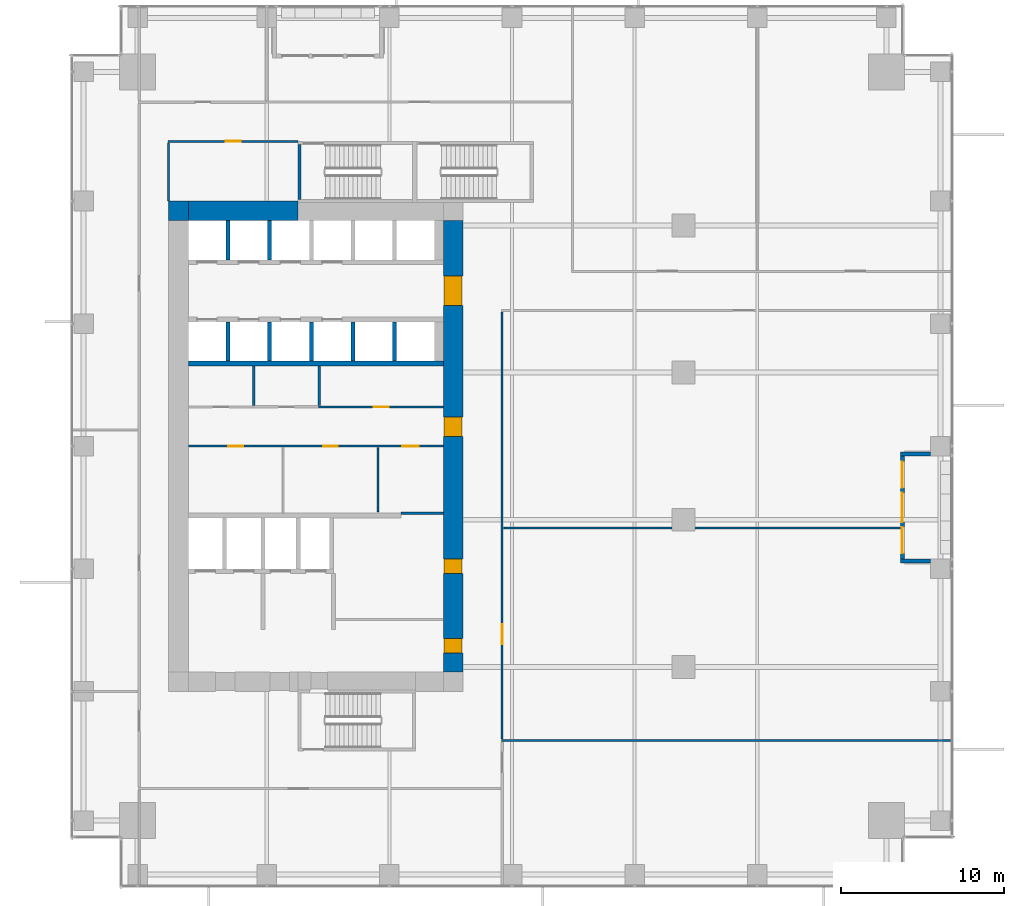
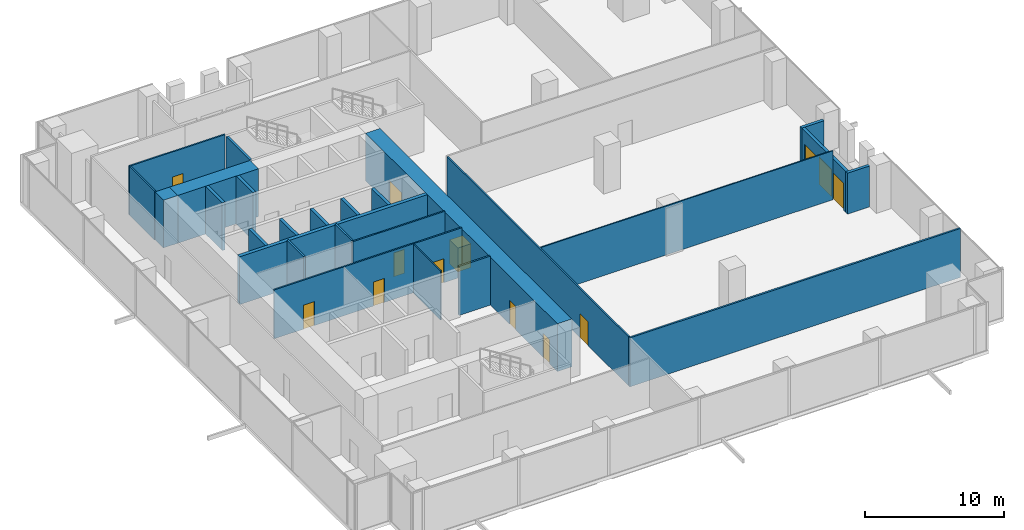
# One storey, part 28 of 33: 26 walls, 11 doors, 2 windows, 13 openings.
"""IFC4 building model written with IfcOpenShell, lengths in metres."""

from ifc_helpers import new_model, si_unit, direction, frame, frame_2d, origin, place, context, subcontext, project, spatial, rectangle, extrude, source, transform, mapped, material, layer, layer_set, type_object, element, fill, save


model = new_model("IFC4")

# Units and contexts
model_context = context("Model", 3, precision=1e-05, world=origin(), true_north=direction((0.0, 1.0)))
body_context = subcontext(model_context, "Body", "Model", "MODEL_VIEW")
ifc_project = project(units=[si_unit("LENGTHUNIT", "METRE"), si_unit("AREAUNIT", "SQUARE_METRE"), si_unit("VOLUMEUNIT", "CUBIC_METRE"), si_unit("PLANEANGLEUNIT", "RADIAN"), si_unit("MASSUNIT", "GRAM", prefix="KILO")], contexts=[model_context])

# Site, building, storey
site_placement = place(None, origin())
site = spatial("IfcSite", under=ifc_project, at=site_placement, CompositionType="ELEMENT")
building_placement = place(site_placement, origin())
building = spatial("IfcBuilding", under=site, at=building_placement, Name="Khomas Fold Tower", CompositionType="ELEMENT")
storey_placement = place(building_placement, frame((0.0, 0.0, 82.5)))
storey = spatial("IfcBuildingStorey", under=building, at=storey_placement, Name="L17", CompositionType="ELEMENT", Elevation=82.5)

# Walls
ifc_material_1 = material(Name="Concrete C70/85", Category="concrete")
ifc_layer_1 = layer(ifc_material_1, 1.199951171875)
ifc_layer_set_1 = layer_set([ifc_layer_1], Name="Concrete C70/85")
wall_type_1 = type_object("IfcWallType", Name="Core wall 1200", PredefinedType="SHEAR", material=ifc_layer_set_1)
shared_shape_1 = source(origin(), body_context, "Body", "SweptSolid", [
    extrude(rectangle(XDim=6.699951171875, YDim=1.199951171875, at=frame_2d((3.35009765625, 0.0))), origin(), (0.0, 0.0, 1.0), 4.199951171875),
])
wall_1_placement = place(storey_placement, frame((7.199951171875, 41.39990234375, 0.0), z_axis=(0.0, 0.0, 1.0), x_axis=(1.0, 0.0, 0.0)))
element("IfcWall", 1, at=wall_1_placement, inside=storey, type_object=wall_type_1, Name="Core wall CW-L-N-B2", PredefinedType="SHEAR", context=body_context, shape_type="MappedRepresentation", body=[
    mapped(shared_shape_1, transform((0.0, 0.0, 0.0))),
])
ifc_material_2 = material(Name="Concrete C70/85", Category="concrete")
ifc_layer_2 = layer(ifc_material_2, 1.199951171875)
ifc_layer_set_2 = layer_set([ifc_layer_2], Name="Concrete C70/85")
wall_type_2 = type_object("IfcWallType", Name="Core corner wall 1200", PredefinedType="SHEAR", material=ifc_layer_set_2)
shared_shape_2 = source(origin(), body_context, "Body", "SweptSolid", [
    extrude(rectangle(XDim=1.199951171875, YDim=1.199951171875, at=frame_2d((0.60009765625, 0.0))), origin(), (0.0, 0.0, 1.0), 4.199951171875),
])
wall_2_placement = place(storey_placement, frame((6.0, 41.39990234375, 0.0), z_axis=(0.0, 0.0, 1.0), x_axis=(1.0, 0.0, 0.0)))
element("IfcWall", 2, at=wall_2_placement, inside=storey, type_object=wall_type_2, Name="Core wall CW-L-NW-B2", PredefinedType="SHEAR", context=body_context, shape_type="MappedRepresentation", body=[
    mapped(shared_shape_2, transform((0.0, 0.0, 0.0))),
])

# Wall, openings, doors
shared_shape_3 = source(origin(), body_context, "Body", "SweptSolid", [
    extrude(rectangle(XDim=27.60009765625, YDim=1.199951171875, at=frame_2d((13.800048828125, 0.0))), origin(), (0.0, 0.0, 1.0), 4.199951171875),
])
wall_3_placement = place(storey_placement, frame((23.39990234375, 13.199951171875, 0.0), z_axis=(0.0, 0.0, 1.0), x_axis=(0.0, 1.0, 0.0)))
wall_3 = element("IfcWall", 3, at=wall_3_placement, inside=storey, type_object=wall_type_1, Name="Core wall CW-L-E-B2", PredefinedType="SHEAR", context=body_context, shape_type="MappedRepresentation", body=[
    mapped(shared_shape_3, transform((0.0, 0.0, 0.0))),
])
shared_shape_4 = source(origin(), body_context, "Body", "SweptSolid", [
    extrude(rectangle(XDim=1.800048828125, YDim=2.10009765625, at=frame_2d((0.89990234375, 1.050048828125))), frame((0.0, 0.60986328125, 0.0), z_axis=(0.0, -1.0, 0.0), x_axis=(1.0, 0.0, 0.0)), (0.0, 0.0, 1.0), 1.219970703125),
])
opening_1_placement = place(wall_3_placement, frame((22.39990234375, 0.0, 0.0)))
opening_1 = element("IfcOpeningElement", 4, at=opening_1_placement, cuts=wall_3, Name="Opening 0015", PredefinedType="OPENING", context=body_context, shape_type="MappedRepresentation", body=[
    mapped(shared_shape_4, transform((0.0, 0.0, 0.0))),
])
shared_shape_5 = source(origin(), body_context, "Body", "SweptSolid", [
    extrude(rectangle(XDim=1.199951171875, YDim=2.10009765625, at=frame_2d((0.60009765625, 1.050048828125))), frame((0.0, 0.60986328125, 0.0), z_axis=(0.0, -1.0, 0.0), x_axis=(1.0, 0.0, 0.0)), (0.0, 0.0, 1.0), 1.219970703125),
])
opening_2_placement = place(wall_3_placement, frame((14.39990234375, 0.0, 0.0)))
opening_2 = element("IfcOpeningElement", 5, at=opening_2_placement, cuts=wall_3, Name="Opening 0001", PredefinedType="OPENING", context=body_context, shape_type="MappedRepresentation", body=[
    mapped(shared_shape_5, transform((0.0, 0.0, 0.0))),
])
shared_shape_6 = source(origin(), body_context, "Body", "SweptSolid", [
    extrude(rectangle(XDim=0.89990234375, YDim=2.10009765625, at=frame_2d((0.449951171875, 1.050048828125))), frame((0.0, 0.60986328125, 0.0), z_axis=(0.0, -1.0, 0.0), x_axis=(1.0, 0.0, 0.0)), (0.0, 0.0, 1.0), 1.219970703125),
])
opening_3_placement = place(wall_3_placement, frame((1.14990234375, 0.0, 0.0)))
opening_3 = element("IfcOpeningElement", 6, at=opening_3_placement, cuts=wall_3, Name="Opening 0008", PredefinedType="OPENING", context=body_context, shape_type="MappedRepresentation", body=[
    mapped(shared_shape_6, transform((0.0, 0.0, 0.0))),
])
opening_4_placement = place(wall_3_placement, frame((6.0, 0.0, 0.0)))
opening_4 = element("IfcOpeningElement", 7, at=opening_4_placement, cuts=wall_3, Name="Opening 0003", PredefinedType="OPENING", context=body_context, shape_type="MappedRepresentation", body=[
    mapped(shared_shape_6, transform((0.0, 0.0, 0.0))),
])
ifc_material_3 = material(Name="Timber door leaf", Category="wood")
door_type_1 = type_object("IfcDoorType", Name="Door 1200x2100 right-hand", OperationType="SINGLE_SWING_RIGHT", PredefinedType="DOOR", material=ifc_material_3)
shared_shape_7 = source(origin(), body_context, "Body", "SweptSolid", [
    extrude(rectangle(XDim=1.199951171875, YDim=2.10009765625, at=frame_2d((0.60009765625, 1.050048828125))), frame((0.0, 0.5498046875, 0.0), z_axis=(0.0, -1.0, 0.0), x_axis=(1.0, 0.0, 0.0)), (0.0, 0.0, 1.0), 1.099853515625),
])
door_1_placement = place(opening_2_placement, origin())
door_1 = element("IfcDoor", 8, at=door_1_placement, inside=storey, type_object=door_type_1, Name="Door", OperationType="SINGLE_SWING_RIGHT", OverallHeight=2.10009765625, OverallWidth=1.199951171875, PredefinedType="DOOR", context=body_context, shape_type="MappedRepresentation", body=[
    mapped(shared_shape_7, transform((0.0, 0.0, 0.0))),
])
fill(opening_2, door_1)
ifc_material_4 = material(Name="Timber door leaf", Category="wood")
door_type_2 = type_object("IfcDoorType", Name="Door 900x2100 right-hand", OperationType="SINGLE_SWING_RIGHT", PredefinedType="DOOR", material=ifc_material_4)
shared_shape_8 = source(origin(), body_context, "Body", "SweptSolid", [
    extrude(rectangle(XDim=0.89990234375, YDim=2.10009765625, at=frame_2d((0.449951171875, 1.050048828125))), frame((0.0, 0.5498046875, 0.0), z_axis=(0.0, -1.0, 0.0), x_axis=(1.0, 0.0, 0.0)), (0.0, 0.0, 1.0), 1.099853515625),
])
door_2_placement = place(opening_3_placement, origin())
door_2 = element("IfcDoor", 9, at=door_2_placement, inside=storey, type_object=door_type_2, Name="Door", OperationType="SINGLE_SWING_RIGHT", OverallHeight=2.10009765625, OverallWidth=0.89990234375, PredefinedType="DOOR", context=body_context, shape_type="MappedRepresentation", body=[
    mapped(shared_shape_8, transform((0.0, 0.0, 0.0))),
])
fill(opening_3, door_2)
ifc_material_5 = material(Name="Steel door leaf", Category="steel")
door_type_3 = type_object("IfcDoorType", Name="Plant room door 900x2100 right-hand", OperationType="SINGLE_SWING_RIGHT", PredefinedType="DOOR", material=ifc_material_5)
door_3_placement = place(opening_4_placement, origin())
door_3 = element("IfcDoor", 10, at=door_3_placement, inside=storey, type_object=door_type_3, Name="Plant room door", OperationType="SINGLE_SWING_RIGHT", OverallHeight=2.10009765625, OverallWidth=0.89990234375, PredefinedType="DOOR", context=body_context, shape_type="MappedRepresentation", body=[
    mapped(shared_shape_8, transform((0.0, 0.0, 0.0))),
])
fill(opening_4, door_3)
ifc_material_6 = material(Name="Steel door leaf", Category="steel")
door_type_4 = type_object("IfcDoorType", Name="Lobby door 1800x2100", OperationType="DOUBLE_DOOR_SINGLE_SWING", PredefinedType="DOOR", material=ifc_material_6)
shared_shape_9 = source(origin(), body_context, "Body", "SweptSolid", [
    extrude(rectangle(XDim=1.800048828125, YDim=2.10009765625, at=frame_2d((0.89990234375, 1.050048828125))), frame((0.0, 0.5498046875, 0.0), z_axis=(0.0, -1.0, 0.0), x_axis=(1.0, 0.0, 0.0)), (0.0, 0.0, 1.0), 1.099853515625),
])
door_4_placement = place(opening_1_placement, origin())
door_4 = element("IfcDoor", 11, at=door_4_placement, inside=storey, type_object=door_type_4, Name="Lobby door", OperationType="DOUBLE_DOOR_SINGLE_SWING", OverallHeight=2.10009765625, OverallWidth=1.800048828125, PredefinedType="DOOR", context=body_context, shape_type="MappedRepresentation", body=[
    mapped(shared_shape_9, transform((0.0, 0.0, 0.0))),
])
fill(opening_1, door_4)

# Walls
ifc_material_7 = material(Name="Concrete C50/60", Category="concrete")
ifc_layer_3 = layer(ifc_material_7, 0.199951171875)
ifc_layer_set_3 = layer_set([ifc_layer_3], Name="Concrete C50/60")
wall_type_3 = type_object("IfcWallType", Name="Stair wall 200", PredefinedType="SHEAR", material=ifc_layer_set_3)
shared_shape_10 = source(origin(), body_context, "Body", "SweptSolid", [
    extrude(rectangle(XDim=3.349853515625, YDim=0.199951171875, at=frame_2d((1.6748046875, 0.0))), origin(), (0.0, 0.0, 1.0), 4.199951171875),
])
wall_4_placement = place(storey_placement, frame((14.0, 42.10009765625, 0.0), z_axis=(0.0, 0.0, 1.0), x_axis=(0.0, 1.0, 0.0)))
element("IfcWall", 12, at=wall_4_placement, inside=storey, type_object=wall_type_3, Name="Stair wall SW-ST1-W", PredefinedType="SHEAR", context=body_context, shape_type="MappedRepresentation", body=[
    mapped(shared_shape_10, transform((0.0, 0.0, 0.0))),
])
ifc_material_8 = material(Name="Concrete C50/60", Category="concrete")
ifc_layer_4 = layer(ifc_material_8, 0.300048828125)
ifc_layer_set_4 = layer_set([ifc_layer_4], Name="Concrete C50/60")
wall_type_4 = type_object("IfcWallType", Name="Shaft wall 300", PredefinedType="STANDARD", material=ifc_layer_set_4)
shared_shape_11 = source(origin(), body_context, "Body", "SweptSolid", [
    extrude(rectangle(XDim=15.60009765625, YDim=0.300048828125, at=frame_2d((7.800048828125, 0.0))), origin(), (0.0, 0.0, 1.0), 4.199951171875),
])
wall_5_placement = place(storey_placement, frame((7.199951171875, 32.050048828125, 0.0), z_axis=(0.0, 0.0, 1.0), x_axis=(1.0, 0.0, 0.0)))
element("IfcWall", 13, at=wall_5_placement, inside=storey, type_object=wall_type_4, Name="Core wall SW-HRN-B", PredefinedType="STANDARD", context=body_context, shape_type="MappedRepresentation", body=[
    mapped(shared_shape_11, transform((0.0, 0.0, 0.0))),
])
ifc_material_9 = material(Name="Concrete C50/60", Category="concrete")
ifc_layer_5 = layer(ifc_material_9, 0.25)
ifc_layer_set_5 = layer_set([ifc_layer_5], Name="Concrete C50/60")
wall_type_5 = type_object("IfcWallType", Name="Shaft wall 250", PredefinedType="STANDARD", material=ifc_layer_set_5)
shared_shape_12 = source(origin(), body_context, "Body", "SweptSolid", [
    extrude(rectangle(XDim=2.400146484375, YDim=0.25, at=frame_2d((1.2001953125, 0.0))), origin(), (0.0, 0.0, 1.0), 4.199951171875),
])
for number, where, z_axis, x_axis, name in (
    (14, (9.625, 38.39990234375, 0.0), (0.0, 0.0, 1.0), (0.0, 1.0, 0.0), "Core wall SW-LRN-P1"),
    (15, (12.175048828125, 38.39990234375, 0.0), (0.0, 0.0, 1.0), (0.0, 1.0, 0.0), "Core wall SW-LRN-P2"),
    (16, (9.625, 32.199951171875, 0.0), (0.0, 0.0, 1.0), (0.0, 1.0, 0.0), "Core wall SW-LRS-P1"),
    (17, (12.175048828125, 32.199951171875, 0.0), (0.0, 0.0, 1.0), (0.0, 1.0, 0.0), "Core wall SW-LRS-P2"),
    (18, (14.72509765625, 32.199951171875, 0.0), (0.0, 0.0, 1.0), (0.0, 1.0, 0.0), "Core wall SW-LRS-P3"),
    (19, (17.27490234375, 32.199951171875, 0.0), (0.0, 0.0, 1.0), (0.0, 1.0, 0.0), "Core wall SW-LRS-P4"),
    (20, (19.824951171875, 32.199951171875, 0.0), (0.0, 0.0, 1.0), (0.0, 1.0, 0.0), "Core wall SW-LRS-P5"),
):
    element("IfcWall", number, at=place(storey_placement, frame(where, z_axis=z_axis, x_axis=x_axis)), inside=storey, type_object=wall_type_5, Name=name, PredefinedType="STANDARD", context=body_context, shape_type="MappedRepresentation", body=[
        mapped(shared_shape_12, transform((0.0, 0.0, 0.0))),
    ])

# Wall, openings, windows, door
ifc_material_10 = material(Name="Natural stone", Category="masonry")
ifc_layer_6 = layer(ifc_material_10, 0.0400390625)
ifc_material_11 = material(Name="Mineral wool insulation", Category="insulation")
ifc_layer_7 = layer(ifc_material_11, 0.10009765625)
ifc_material_12 = material(Name="Masonry", Category="masonry")
ifc_layer_8 = layer(ifc_material_12, 0.110107421875)
ifc_layer_set_6 = layer_set([ifc_layer_6, ifc_layer_7, ifc_layer_8], Name="Stone-faced insulated masonry")
wall_type_6 = type_object("IfcWallType", Name="BL-Balcony wall", PredefinedType="SOLIDWALL", material=ifc_layer_set_6)
shared_shape_13 = source(origin(), body_context, "Body", "SweptSolid", [
    extrude(rectangle(XDim=6.2998046875, YDim=0.25, at=frame_2d((3.14990234375, 0.0))), origin(), (0.0, 0.0, 1.0), 3.60009765625),
])
wall_6_placement = place(storey_placement, frame((50.875, 20.10009765625, 0.0), z_axis=(0.0, 0.0, 1.0), x_axis=(0.0, 1.0, 0.0)))
wall_6 = element("IfcWall", 21, at=wall_6_placement, inside=storey, type_object=wall_type_6, Name="Balcony wall BAL-L17-E2", PredefinedType="SOLIDWALL", context=body_context, shape_type="MappedRepresentation", body=[
    mapped(shared_shape_13, transform((0.0, 0.0, 0.0))),
])
shared_shape_14 = source(origin(), body_context, "Body", "SweptSolid", [
    extrude(rectangle(XDim=1.60009765625, YDim=2.39990234375, at=frame_2d((0.800048828125, 1.199951171875))), frame((0.0, 0.135009765625, 0.0), z_axis=(0.0, -1.0, 0.0), x_axis=(1.0, 0.0, 0.0)), (0.0, 0.0, 1.0), 0.27001953125),
])
opening_5_placement = place(wall_6_placement, frame((0.35009765625, 0.0, 0.0)))
opening_5 = element("IfcOpeningElement", 22, at=opening_5_placement, cuts=wall_6, Name="Opening BL-W1", PredefinedType="OPENING", context=body_context, shape_type="MappedRepresentation", body=[
    mapped(shared_shape_14, transform((0.0, 0.0, 0.0))),
])
opening_6_placement = place(wall_6_placement, frame((4.35009765625, 0.0, 0.0)))
opening_6 = element("IfcOpeningElement", 23, at=opening_6_placement, cuts=wall_6, Name="Opening BL-W1", PredefinedType="OPENING", context=body_context, shape_type="MappedRepresentation", body=[
    mapped(shared_shape_14, transform((0.0, 0.0, 0.0))),
])
shared_shape_15 = source(origin(), body_context, "Body", "SweptSolid", [
    extrude(rectangle(XDim=1.800048828125, YDim=2.39990234375, at=frame_2d((0.89990234375, 1.199951171875))), frame((0.0, 0.135009765625, 0.0), z_axis=(0.0, -1.0, 0.0), x_axis=(1.0, 0.0, 0.0)), (0.0, 0.0, 1.0), 0.27001953125),
])
opening_7_placement = place(wall_6_placement, frame((2.25, 0.0, 0.0)))
opening_7 = element("IfcOpeningElement", 24, at=opening_7_placement, cuts=wall_6, Name="Opening BD171", PredefinedType="OPENING", context=body_context, shape_type="MappedRepresentation", body=[
    mapped(shared_shape_15, transform((0.0, 0.0, 0.0))),
])
ifc_material_13 = material(Name="Aluminium framed double glazing", Category="aluminium")
window_type = type_object("IfcWindowType", Name="BL-Fixed glazing 1600 x 2400", PartitioningType="SINGLE_PANEL", PredefinedType="WINDOW", material=ifc_material_13)
shared_shape_16 = source(origin(), body_context, "Body", "SweptSolid", [
    extrude(rectangle(XDim=1.60009765625, YDim=2.39990234375, at=frame_2d((0.800048828125, 1.199951171875))), frame((0.0, 0.030029296875, 0.0), z_axis=(0.0, -1.0, 0.0), x_axis=(1.0, 0.0, 0.0)), (0.0, 0.0, 1.0), 0.06005859375),
])
window_1_placement = place(opening_5_placement, origin())
window_1 = element("IfcWindow", 25, at=window_1_placement, inside=storey, type_object=window_type, Name="Balcony glazing BAL-L17-E2-1", OverallHeight=2.39990234375, OverallWidth=1.60009765625, PartitioningType="SINGLE_PANEL", PredefinedType="WINDOW", context=body_context, shape_type="MappedRepresentation", body=[
    mapped(shared_shape_16, transform((0.0, 0.0, 0.0))),
])
fill(opening_5, window_1)
window_2_placement = place(opening_6_placement, origin())
window_2 = element("IfcWindow", 26, at=window_2_placement, inside=storey, type_object=window_type, Name="Balcony glazing BAL-L17-E2-2", OverallHeight=2.39990234375, OverallWidth=1.60009765625, PartitioningType="SINGLE_PANEL", PredefinedType="WINDOW", context=body_context, shape_type="MappedRepresentation", body=[
    mapped(shared_shape_16, transform((0.0, 0.0, 0.0))),
])
fill(opening_6, window_2)
ifc_material_14 = material(Name="Aluminium framed double glazing", Category="aluminium")
door_type_5 = type_object("IfcDoorType", Name="BL-Glazed balcony door 1800 x 2400", OperationType="DOUBLE_DOOR_DOUBLE_SWING", PredefinedType="DOOR", material=ifc_material_14)
shared_shape_17 = source(origin(), body_context, "Body", "SweptSolid", [
    extrude(rectangle(XDim=1.800048828125, YDim=2.39990234375, at=frame_2d((0.89990234375, 1.199951171875))), frame((0.0, 0.02490234375, 0.0), z_axis=(0.0, -1.0, 0.0), x_axis=(1.0, 0.0, 0.0)), (0.0, 0.0, 1.0), 0.050048828125),
])
door_5_placement = place(opening_7_placement, origin())
door_5 = element("IfcDoor", 27, at=door_5_placement, inside=storey, type_object=door_type_5, Name="Balcony door BD171", OperationType="DOUBLE_DOOR_DOUBLE_SWING", OverallHeight=2.39990234375, OverallWidth=1.800048828125, PredefinedType="DOOR", context=body_context, shape_type="MappedRepresentation", body=[
    mapped(shared_shape_17, transform((0.0, 0.0, 0.0))),
])
fill(opening_7, door_5)

# Walls
shared_shape_18 = source(origin(), body_context, "Body", "SweptSolid", [
    extrude(rectangle(XDim=1.85009765625, YDim=0.25, at=frame_2d((0.925048828125, 0.0))), origin(), (0.0, 0.0, 1.0), 3.60009765625),
])
for number, where, z_axis, x_axis, name in (
    (28, (52.60009765625, 19.97509765625, 0.0), (0.0, 0.0, 1.0), (-1.0, 0.0, 0.0), "Balcony return wall BAL-L17-E2-lo"),
    (29, (52.60009765625, 26.52490234375, 0.0), (0.0, 0.0, 1.0), (-1.0, 0.0, 0.0), "Balcony return wall BAL-L17-E2-hi"),
):
    element("IfcWall", number, at=place(storey_placement, frame(where, z_axis=z_axis, x_axis=x_axis)), inside=storey, type_object=wall_type_6, Name=name, PredefinedType="SOLIDWALL", context=body_context, shape_type="MappedRepresentation", body=[
        mapped(shared_shape_18, transform((0.0, 0.0, 0.0))),
    ])
ifc_material_15 = material(Name="Plasterboard fire partition")
ifc_layer_9 = layer(ifc_material_15, 0.14990234375)
ifc_layer_set_7 = layer_set([ifc_layer_9], Name="Plasterboard fire partition")
wall_type_7 = type_object("IfcWallType", Name="Plant room wall PW3 150", PredefinedType="PARTITIONING", material=ifc_layer_set_7)
shared_shape_19 = source(origin(), body_context, "Body", "SweptSolid", [
    extrude(rectangle(XDim=27.5, YDim=0.14990234375, at=frame_2d((13.75, 0.0))), origin(), (0.0, 0.0, 1.0), 4.300048828125),
])
wall_7_placement = place(storey_placement, frame((26.35009765625, 9.0, 0.0), z_axis=(0.0, 0.0, 1.0), x_axis=(1.0, 0.0, 0.0)))
element("IfcWall", 30, at=wall_7_placement, inside=storey, type_object=wall_type_7, Name="Plant room wall", PredefinedType="PARTITIONING", context=body_context, shape_type="MappedRepresentation", body=[
    mapped(shared_shape_19, transform((0.0, 0.0, 0.0))),
])
shared_shape_20 = source(origin(), body_context, "Body", "SweptSolid", [
    extrude(rectangle(XDim=2.60009765625, YDim=0.14990234375, at=frame_2d((1.300048828125, 0.0))), origin(), (0.0, 0.0, 1.0), 4.300048828125),
])
wall_8_placement = place(storey_placement, frame((20.199951171875, 22.89990234375, 0.0), z_axis=(0.0, 0.0, 1.0), x_axis=(1.0, 0.0, 0.0)))
element("IfcWall", 31, at=wall_8_placement, inside=storey, type_object=wall_type_7, Name="Plant room wall", PredefinedType="PARTITIONING", context=body_context, shape_type="MappedRepresentation", body=[
    mapped(shared_shape_20, transform((0.0, 0.0, 0.0))),
])
ifc_material_16 = material(Name="Plasterboard partition")
ifc_layer_10 = layer(ifc_material_16, 0.10009765625)
ifc_layer_set_8 = layer_set([ifc_layer_10], Name="Plasterboard partition")
wall_type_8 = type_object("IfcWallType", Name="Partition PW1 100", PredefinedType="PARTITIONING", material=ifc_layer_set_8)
shared_shape_21 = source(origin(), body_context, "Body", "SweptSolid", [
    extrude(rectangle(XDim=24.25, YDim=0.10009765625, at=frame_2d((12.125, 0.0))), origin(), (0.0, 0.0, 1.0), 4.300048828125),
])
wall_9_placement = place(storey_placement, frame((26.5, 22.0, 0.0), z_axis=(0.0, 0.0, 1.0), x_axis=(1.0, 0.0, 0.0)))
element("IfcWall", 32, at=wall_9_placement, inside=storey, type_object=wall_type_8, Name="Partition", PredefinedType="PARTITIONING", context=body_context, shape_type="MappedRepresentation", body=[
    mapped(shared_shape_21, transform((0.0, 0.0, 0.0))),
])
ifc_material_17 = material(Name="Plasterboard partition")
ifc_layer_11 = layer(ifc_material_17, 0.125)
ifc_layer_set_9 = layer_set([ifc_layer_11], Name="Plasterboard partition")
wall_type_9 = type_object("IfcWallType", Name="Partition PW2 125", PredefinedType="PARTITIONING", material=ifc_layer_set_9)
shared_shape_22 = source(origin(), body_context, "Body", "SweptSolid", [
    extrude(rectangle(XDim=3.550048828125, YDim=0.125, at=frame_2d((1.77490234375, 0.0))), origin(), (0.0, 0.0, 1.0), 4.300048828125),
])
wall_10_placement = place(storey_placement, frame((6.0, 42.0, 0.0), z_axis=(0.0, 0.0, 1.0), x_axis=(0.0, 1.0, 0.0)))
element("IfcWall", 33, at=wall_10_placement, inside=storey, type_object=wall_type_9, Name="Partition", PredefinedType="PARTITIONING", context=body_context, shape_type="MappedRepresentation", body=[
    mapped(shared_shape_22, transform((0.0, 0.0, 0.0))),
])

# Wall, opening, door
shared_shape_23 = source(origin(), body_context, "Body", "SweptSolid", [
    extrude(rectangle(XDim=7.949951171875, YDim=0.125, at=frame_2d((3.97509765625, 0.0))), origin(), (0.0, 0.0, 1.0), 4.300048828125),
])
wall_11_placement = place(storey_placement, frame((5.949951171875, 45.64990234375, 0.0), z_axis=(0.0, 0.0, 1.0), x_axis=(1.0, 0.0, 0.0)))
wall_11 = element("IfcWall", 34, at=wall_11_placement, inside=storey, type_object=wall_type_9, Name="Partition", PredefinedType="PARTITIONING", context=body_context, shape_type="MappedRepresentation", body=[
    mapped(shared_shape_23, transform((0.0, 0.0, 0.0))),
])
shared_shape_24 = source(origin(), body_context, "Body", "SweptSolid", [
    extrude(rectangle(XDim=0.89990234375, YDim=2.10009765625, at=frame_2d((0.449951171875, 1.050048828125))), frame((0.0, 0.072509765625, 0.0), z_axis=(0.0, -1.0, 0.0), x_axis=(1.0, 0.0, 0.0)), (0.0, 0.0, 1.0), 0.14501953125),
])
opening_8_placement = place(wall_11_placement, frame((3.550048828125, 0.0, 0.0)))
opening_8 = element("IfcOpeningElement", 35, at=opening_8_placement, cuts=wall_11, Name="Opening 0008", PredefinedType="OPENING", context=body_context, shape_type="MappedRepresentation", body=[
    mapped(shared_shape_24, transform((0.0, 0.0, 0.0))),
])
shared_shape_25 = source(origin(), body_context, "Body", "SweptSolid", [
    extrude(rectangle(XDim=0.89990234375, YDim=2.10009765625, at=frame_2d((0.449951171875, 1.050048828125))), frame((0.0, 0.02490234375, 0.0), z_axis=(0.0, -1.0, 0.0), x_axis=(1.0, 0.0, 0.0)), (0.0, 0.0, 1.0), 0.050048828125),
])
door_6_placement = place(opening_8_placement, origin())
door_6 = element("IfcDoor", 36, at=door_6_placement, inside=storey, type_object=door_type_2, Name="Door", OperationType="SINGLE_SWING_RIGHT", OverallHeight=2.10009765625, OverallWidth=0.89990234375, PredefinedType="DOOR", context=body_context, shape_type="MappedRepresentation", body=[
    mapped(shared_shape_25, transform((0.0, 0.0, 0.0))),
])
fill(opening_8, door_6)

# Wall, openings, doors
shared_shape_26 = source(origin(), body_context, "Body", "SweptSolid", [
    extrude(rectangle(XDim=15.60009765625, YDim=0.125, at=frame_2d((7.800048828125, 0.0))), origin(), (0.0, 0.0, 1.0), 4.300048828125),
])
wall_12_placement = place(storey_placement, frame((7.199951171875, 27.0, 0.0), z_axis=(0.0, 0.0, 1.0), x_axis=(1.0, 0.0, 0.0)))
wall_12 = element("IfcWall", 37, at=wall_12_placement, inside=storey, type_object=wall_type_9, Name="Partition", PredefinedType="PARTITIONING", context=body_context, shape_type="MappedRepresentation", body=[
    mapped(shared_shape_26, transform((0.0, 0.0, 0.0))),
])
opening_9_placement = place(wall_12_placement, frame((2.449951171875, 0.0, 0.0)))
opening_9 = element("IfcOpeningElement", 38, at=opening_9_placement, cuts=wall_12, Name="Opening 0005", PredefinedType="OPENING", context=body_context, shape_type="MappedRepresentation", body=[
    mapped(shared_shape_24, transform((0.0, 0.0, 0.0))),
])
opening_10_placement = place(wall_12_placement, frame((8.25, 0.0, 0.0)))
opening_10 = element("IfcOpeningElement", 39, at=opening_10_placement, cuts=wall_12, Name="Opening 0004", PredefinedType="OPENING", context=body_context, shape_type="MappedRepresentation", body=[
    mapped(shared_shape_24, transform((0.0, 0.0, 0.0))),
])
shared_shape_27 = source(origin(), body_context, "Body", "SweptSolid", [
    extrude(rectangle(XDim=1.0, YDim=2.10009765625, at=frame_2d((0.5, 1.050048828125))), frame((0.0, 0.072509765625, 0.0), z_axis=(0.0, -1.0, 0.0), x_axis=(1.0, 0.0, 0.0)), (0.0, 0.0, 1.0), 0.14501953125),
])
opening_11_placement = place(wall_12_placement, frame((13.10009765625, 0.0, 0.0)))
opening_11 = element("IfcOpeningElement", 40, at=opening_11_placement, cuts=wall_12, Name="Opening 0014", PredefinedType="OPENING", context=body_context, shape_type="MappedRepresentation", body=[
    mapped(shared_shape_27, transform((0.0, 0.0, 0.0))),
])
ifc_material_18 = material(Name="Timber door leaf", Category="wood")
door_type_6 = type_object("IfcDoorType", Name="WC door 900x2100 left-hand", OperationType="SINGLE_SWING_LEFT", PredefinedType="DOOR", material=ifc_material_18)
door_7_placement = place(opening_9_placement, origin())
door_7 = element("IfcDoor", 41, at=door_7_placement, inside=storey, type_object=door_type_6, Name="WC door", OperationType="SINGLE_SWING_LEFT", OverallHeight=2.10009765625, OverallWidth=0.89990234375, PredefinedType="DOOR", context=body_context, shape_type="MappedRepresentation", body=[
    mapped(shared_shape_25, transform((0.0, 0.0, 0.0))),
])
fill(opening_9, door_7)
ifc_material_19 = material(Name="Timber door leaf", Category="wood")
door_type_7 = type_object("IfcDoorType", Name="WC door 900x2100 right-hand", OperationType="SINGLE_SWING_RIGHT", PredefinedType="DOOR", material=ifc_material_19)
door_8_placement = place(opening_10_placement, origin())
door_8 = element("IfcDoor", 42, at=door_8_placement, inside=storey, type_object=door_type_7, Name="WC door", OperationType="SINGLE_SWING_RIGHT", OverallHeight=2.10009765625, OverallWidth=0.89990234375, PredefinedType="DOOR", context=body_context, shape_type="MappedRepresentation", body=[
    mapped(shared_shape_25, transform((0.0, 0.0, 0.0))),
])
fill(opening_10, door_8)
ifc_material_20 = material(Name="Timber door leaf", Category="wood")
door_type_8 = type_object("IfcDoorType", Name="WC door 1000x2100 left-hand", OperationType="SINGLE_SWING_LEFT", PredefinedType="DOOR", material=ifc_material_20)
shared_shape_28 = source(origin(), body_context, "Body", "SweptSolid", [
    extrude(rectangle(XDim=1.0, YDim=2.10009765625, at=frame_2d((0.5, 1.050048828125))), frame((0.0, 0.02490234375, 0.0), z_axis=(0.0, -1.0, 0.0), x_axis=(1.0, 0.0, 0.0)), (0.0, 0.0, 1.0), 0.050048828125),
])
door_9_placement = place(opening_11_placement, origin())
door_9 = element("IfcDoor", 43, at=door_9_placement, inside=storey, type_object=door_type_8, Name="WC door", OperationType="SINGLE_SWING_LEFT", OverallHeight=2.10009765625, OverallWidth=1.0, PredefinedType="DOOR", context=body_context, shape_type="MappedRepresentation", body=[
    mapped(shared_shape_28, transform((0.0, 0.0, 0.0))),
])
fill(opening_11, door_9)

# Wall, opening, door
shared_shape_29 = source(origin(), body_context, "Body", "SweptSolid", [
    extrude(rectangle(XDim=26.099853515625, YDim=0.125, at=frame_2d((13.0498046875, 0.0))), origin(), (0.0, 0.0, 1.0), 4.300048828125),
])
wall_13_placement = place(storey_placement, frame((26.39990234375, 9.10009765625, 0.0), z_axis=(0.0, 0.0, 1.0), x_axis=(0.0, 1.0, 0.0)))
wall_13 = element("IfcWall", 44, at=wall_13_placement, inside=storey, type_object=wall_type_9, Name="Partition", PredefinedType="PARTITIONING", context=body_context, shape_type="MappedRepresentation", body=[
    mapped(shared_shape_29, transform((0.0, 0.0, 0.0))),
])
shared_shape_30 = source(origin(), body_context, "Body", "SweptSolid", [
    extrude(rectangle(XDim=1.199951171875, YDim=2.10009765625, at=frame_2d((0.60009765625, 1.050048828125))), frame((0.0, 0.072509765625, 0.0), z_axis=(0.0, -1.0, 0.0), x_axis=(1.0, 0.0, 0.0)), (0.0, 0.0, 1.0), 0.14501953125),
])
opening_12_placement = place(wall_13_placement, frame((5.800048828125, 0.0, 0.0)))
opening_12 = element("IfcOpeningElement", 45, at=opening_12_placement, cuts=wall_13, Name="Opening 0013", PredefinedType="OPENING", context=body_context, shape_type="MappedRepresentation", body=[
    mapped(shared_shape_30, transform((0.0, 0.0, 0.0))),
])
ifc_material_21 = material(Name="Timber door leaf", Category="wood")
door_type_9 = type_object("IfcDoorType", Name="Door 1200x2100 left-hand", OperationType="SINGLE_SWING_LEFT", PredefinedType="DOOR", material=ifc_material_21)
shared_shape_31 = source(origin(), body_context, "Body", "SweptSolid", [
    extrude(rectangle(XDim=1.199951171875, YDim=2.10009765625, at=frame_2d((0.60009765625, 1.050048828125))), frame((0.0, 0.02490234375, 0.0), z_axis=(0.0, -1.0, 0.0), x_axis=(1.0, 0.0, 0.0)), (0.0, 0.0, 1.0), 0.050048828125),
])
door_10_placement = place(opening_12_placement, origin())
door_10 = element("IfcDoor", 46, at=door_10_placement, inside=storey, type_object=door_type_9, Name="Door", OperationType="SINGLE_SWING_LEFT", OverallHeight=2.10009765625, OverallWidth=1.199951171875, PredefinedType="DOOR", context=body_context, shape_type="MappedRepresentation", body=[
    mapped(shared_shape_31, transform((0.0, 0.0, 0.0))),
])
fill(opening_12, door_10)

# Wall
shared_shape_32 = source(origin(), body_context, "Body", "SweptSolid", [
    extrude(rectangle(XDim=3.89990234375, YDim=0.10009765625, at=frame_2d((1.949951171875, 0.0))), origin(), (0.0, 0.0, 1.0), 4.300048828125),
])
wall_14_placement = place(storey_placement, frame((18.800048828125, 23.0, 0.0), z_axis=(0.0, 0.0, 1.0), x_axis=(0.0, 1.0, 0.0)))
element("IfcWall", 47, at=wall_14_placement, inside=storey, type_object=wall_type_8, Name="Partition", PredefinedType="PARTITIONING", context=body_context, shape_type="MappedRepresentation", body=[
    mapped(shared_shape_32, transform((0.0, 0.0, 0.0))),
])

# Wall, opening, door
shared_shape_33 = source(origin(), body_context, "Body", "SweptSolid", [
    extrude(rectangle(XDim=7.650146484375, YDim=0.125, at=frame_2d((3.8251953125, 0.0))), origin(), (0.0, 0.0, 1.0), 4.300048828125),
])
wall_15_placement = place(storey_placement, frame((15.14990234375, 29.39990234375, 0.0), z_axis=(0.0, 0.0, 1.0), x_axis=(1.0, 0.0, 0.0)))
wall_15 = element("IfcWall", 48, at=wall_15_placement, inside=storey, type_object=wall_type_9, Name="Partition", PredefinedType="PARTITIONING", context=body_context, shape_type="MappedRepresentation", body=[
    mapped(shared_shape_33, transform((0.0, 0.0, 0.0))),
])
opening_13_placement = place(wall_15_placement, frame((3.39990234375, 0.0, 0.0)))
opening_13 = element("IfcOpeningElement", 49, at=opening_13_placement, cuts=wall_15, Name="Opening 0007", PredefinedType="OPENING", context=body_context, shape_type="MappedRepresentation", body=[
    mapped(shared_shape_24, transform((0.0, 0.0, 0.0))),
])
ifc_material_22 = material(Name="Timber door leaf", Category="wood")
door_type_10 = type_object("IfcDoorType", Name="Door 900x2100 left-hand", OperationType="SINGLE_SWING_LEFT", PredefinedType="DOOR", material=ifc_material_22)
door_11_placement = place(opening_13_placement, origin())
door_11 = element("IfcDoor", 50, at=door_11_placement, inside=storey, type_object=door_type_10, Name="Door", OperationType="SINGLE_SWING_LEFT", OverallHeight=2.10009765625, OverallWidth=0.89990234375, PredefinedType="DOOR", context=body_context, shape_type="MappedRepresentation", body=[
    mapped(shared_shape_25, transform((0.0, 0.0, 0.0))),
])
fill(opening_13, door_11)

# Walls
shared_shape_34 = source(origin(), body_context, "Body", "SweptSolid", [
    extrude(rectangle(XDim=2.39990234375, YDim=0.14990234375, at=frame_2d((1.199951171875, 0.0))), origin(), (0.0, 0.0, 1.0), 4.300048828125),
])
for number, where, z_axis, x_axis, name in (
    (51, (11.199951171875, 29.5, 0.0), (0.0, 0.0, 1.0), (0.0, 1.0, 0.0), "Plant room wall"),
    (52, (15.199951171875, 29.5, 0.0), (0.0, 0.0, 1.0), (0.0, 1.0, 0.0), "Plant room wall"),
):
    element("IfcWall", number, at=place(storey_placement, frame(where, z_axis=z_axis, x_axis=x_axis)), inside=storey, type_object=wall_type_7, Name=name, PredefinedType="PARTITIONING", context=body_context, shape_type="MappedRepresentation", body=[
        mapped(shared_shape_34, transform((0.0, 0.0, 0.0))),
    ])

save(model, "model.ifc")
